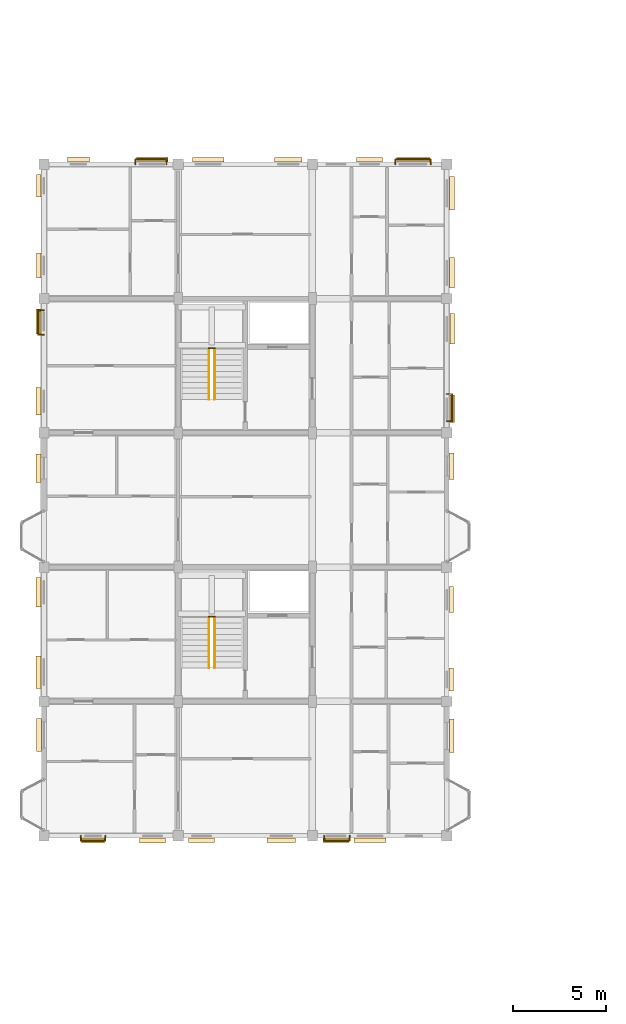
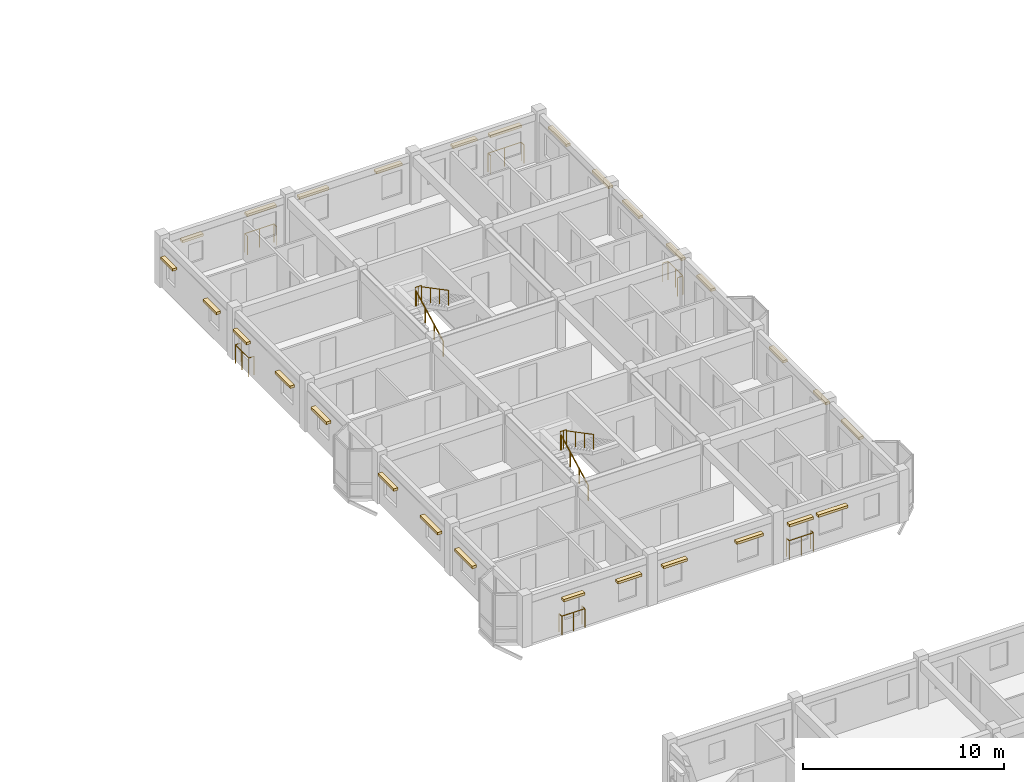
# One storey, part 75 of 79: 28 coverings, 12 railings.
"""IFC4 building model written with IfcOpenShell, lengths in metres."""

from ifc_helpers import new_model, si_unit, direction, frame, origin, origin_2d, place, context, subcontext, project, spatial, rectangle, circle, extrude, material, layer, layer_set, type_object, element, save


model = new_model("IFC4")

# Units and contexts
model_context = context("Model", 3, precision=1e-05, world=origin(), true_north=direction((0.0, 1.0)))
body_context = subcontext(model_context, "Body", "Model", "MODEL_VIEW")
ifc_project = project(units=[si_unit("LENGTHUNIT", "METRE"), si_unit("AREAUNIT", "SQUARE_METRE"), si_unit("VOLUMEUNIT", "CUBIC_METRE"), si_unit("PLANEANGLEUNIT", "RADIAN"), si_unit("MASSUNIT", "GRAM", prefix="KILO"), si_unit("THERMODYNAMICTEMPERATUREUNIT", "KELVIN"), si_unit("POWERUNIT", "WATT")], contexts=[model_context])

# Site, building, storey
site_placement = place(None, origin())
site = spatial("IfcSite", under=ifc_project, at=site_placement, CompositionType="ELEMENT")
building_placement = place(site_placement, origin())
building = spatial("IfcBuilding", under=site, at=building_placement, Name="Tavuni Mirador Residences", CompositionType="ELEMENT")
storey_placement = place(building_placement, frame((0.0, 0.0, 13.949951171875)))
storey = spatial("IfcBuildingStorey", under=building, at=storey_placement, Name="L04", CompositionType="ELEMENT", Elevation=13.949951171875)

# Coverings
ifc_material_1 = material(Name="Natural coral limestone", Category="masonry")
ifc_layer = layer(ifc_material_1, 0.054931640625, Name="Natural coral limestone", Category="masonry")
ifc_layer_set = layer_set([ifc_layer], Name="Natural coral limestone")
covering_type = type_object("IfcCoveringType", Name="CVT-CLAD-CORAL", PredefinedType="CLADDING", material=ifc_layer_set)
covering_1_placement = place(storey_placement, frame((6.237548828125, 64.54052734375, 2.065185546875), z_axis=(0.0, 0.0, 1.0), x_axis=(1.0, 0.0, 0.0)))
element("IfcCovering", 1, at=covering_1_placement, inside=storey, type_object=covering_type, Name="HOOD-0390", PredefinedType="CLADDING", context=body_context, shape_type="SweptSolid", body=[
    extrude(rectangle(XDim=1.219970703125, YDim=0.25, at=origin_2d()), origin(), (0.0, 0.0, 1.0), 0.14990234375),
])
for number, where, z_axis, x_axis, name in (
    (2, (9.422607421875, 64.54052734375, 2.065185546875), (0.0, 0.0, 1.0), (1.0, 0.0, 0.0), "HOOD-0391"),
    (3, (12.044921875, 64.550537109375, 2.065185546875), (0.0, 0.0, 1.0), (1.0, 0.0, 0.0), "HOOD-0392"),
):
    element("IfcCovering", number, at=place(storey_placement, frame(where, z_axis=z_axis, x_axis=x_axis)), inside=storey, type_object=covering_type, Name=name, PredefinedType="CLADDING", context=body_context, shape_type="SweptSolid", body=[
        extrude(rectangle(XDim=1.3798828125, YDim=0.25, at=origin_2d()), origin(), (0.0, 0.0, 1.0), 0.14990234375),
    ])
covering_2_placement = place(storey_placement, frame((16.324951171875, 64.550537109375, 2.065185546875), z_axis=(0.0, 0.0, 1.0), x_axis=(1.0, 0.0, 0.0)))
element("IfcCovering", 4, at=covering_2_placement, inside=storey, type_object=covering_type, Name="HOOD-0393", PredefinedType="CLADDING", context=body_context, shape_type="SweptSolid", body=[
    extrude(rectangle(XDim=1.5400390625, YDim=0.25, at=origin_2d()), origin(), (0.0, 0.0, 1.0), 0.14990234375),
])
covering_3_placement = place(storey_placement, frame((19.257568359375, 64.555419921875, 2.065185546875), z_axis=(0.0, 0.0, 1.0), x_axis=(1.0, 0.0, 0.0)))
element("IfcCovering", 5, at=covering_3_placement, inside=storey, type_object=covering_type, Name="HOOD-0394", PredefinedType="CLADDING", context=body_context, shape_type="SweptSolid", body=[
    extrude(rectangle(XDim=1.3798828125, YDim=0.25, at=origin_2d()), origin(), (0.0, 0.0, 1.0), 0.14990234375),
])
covering_4_placement = place(storey_placement, frame((21.090087890625, 64.555419921875, 2.065185546875), z_axis=(0.0, 0.0, 1.0), x_axis=(1.0, 0.0, 0.0)))
element("IfcCovering", 6, at=covering_4_placement, inside=storey, type_object=covering_type, Name="HOOD-0395", PredefinedType="CLADDING", context=body_context, shape_type="SweptSolid", body=[
    extrude(rectangle(XDim=1.699951171875, YDim=0.25, at=origin_2d()), origin(), (0.0, 0.0, 1.0), 0.14990234375),
])
covering_5_placement = place(storey_placement, frame((25.464599609375, 70.1474609375, 2.06005859375), z_axis=(0.0, 0.0, 1.0), x_axis=(0.0, 1.0, 0.0)))
element("IfcCovering", 7, at=covering_5_placement, inside=storey, type_object=covering_type, Name="HOOD-0396", PredefinedType="CLADDING", context=body_context, shape_type="SweptSolid", body=[
    extrude(rectangle(XDim=1.800048828125, YDim=0.260009765625, at=origin_2d()), origin(), (0.0, 0.0, 1.0), 0.159912109375),
])
covering_6_placement = place(storey_placement, frame((25.449462890625, 73.175048828125, 2.1650390625), z_axis=(0.0, 0.0, 1.0), x_axis=(0.0, 1.0, 0.0)))
element("IfcCovering", 8, at=covering_6_placement, inside=storey, type_object=covering_type, Name="HOOD-0397", PredefinedType="CLADDING", context=body_context, shape_type="SweptSolid", body=[
    extrude(rectangle(XDim=1.239990234375, YDim=0.25, at=origin_2d()), origin(), (0.0, 0.0, 1.0), 0.14990234375),
])
covering_7_placement = place(storey_placement, frame((25.449462890625, 77.455078125, 2.1650390625), z_axis=(0.0, 0.0, 1.0), x_axis=(0.0, 1.0, 0.0)))
element("IfcCovering", 9, at=covering_7_placement, inside=storey, type_object=covering_type, Name="HOOD-0398", PredefinedType="CLADDING", context=body_context, shape_type="SweptSolid", body=[
    extrude(rectangle(XDim=1.39990234375, YDim=0.25, at=origin_2d()), origin(), (0.0, 0.0, 1.0), 0.14990234375),
])
covering_8_placement = place(storey_placement, frame((25.449462890625, 84.617431640625, 2.16015625), z_axis=(0.0, 0.0, 1.0), x_axis=(0.0, 1.0, 0.0)))
element("IfcCovering", 10, at=covering_8_placement, inside=storey, type_object=covering_type, Name="HOOD-0399", PredefinedType="CLADDING", context=body_context, shape_type="SweptSolid", body=[
    extrude(rectangle(XDim=1.419921875, YDim=0.260009765625, at=origin_2d()), origin(), (0.0, 0.0, 1.0), 0.159912109375),
])
covering_9_placement = place(storey_placement, frame((25.487060546875, 87.695068359375, 2.1650390625), z_axis=(0.0, 0.0, 1.0), x_axis=(0.0, 1.0, 0.0)))
element("IfcCovering", 11, at=covering_9_placement, inside=storey, type_object=covering_type, Name="HOOD-0400", PredefinedType="CLADDING", context=body_context, shape_type="SweptSolid", body=[
    extrude(rectangle(XDim=1.47998046875, YDim=0.25, at=origin_2d()), origin(), (0.0, 0.0, 1.0), 0.14990234375),
])
for number, where, z_axis, x_axis, name in (
    (12, (25.487060546875, 91.97509765625, 2.1650390625), (0.0, 0.0, 1.0), (0.0, 1.0, 0.0), "HOOD-0401"),
    (13, (25.4794921875, 94.97509765625, 2.1650390625), (0.0, 0.0, 1.0), (0.0, 1.0, 0.0), "HOOD-0402"),
):
    element("IfcCovering", number, at=place(storey_placement, frame(where, z_axis=z_axis, x_axis=x_axis)), inside=storey, type_object=covering_type, Name=name, PredefinedType="CLADDING", context=body_context, shape_type="SweptSolid", body=[
        extrude(rectangle(XDim=1.639892578125, YDim=0.25, at=origin_2d()), origin(), (0.0, 0.0, 1.0), 0.14990234375),
    ])
for number, where, z_axis, x_axis, name in (
    (14, (25.4794921875, 99.2548828125, 2.1650390625), (0.0, 0.0, 1.0), (0.0, 1.0, 0.0), "HOOD-0403"),
    (15, (23.392578125, 101.04443359375, 2.1650390625), (0.0, 0.0, 1.0), (-1.0, 0.0, 0.0), "HOOD-0404"),
):
    element("IfcCovering", number, at=place(storey_placement, frame(where, z_axis=z_axis, x_axis=x_axis)), inside=storey, type_object=covering_type, Name=name, PredefinedType="CLADDING", context=body_context, shape_type="SweptSolid", body=[
        extrude(rectangle(XDim=1.800048828125, YDim=0.25, at=origin_2d()), origin(), (0.0, 0.0, 1.0), 0.14990234375),
    ])
covering_10_placement = place(storey_placement, frame((21.050048828125, 101.04443359375, 2.2451171875), z_axis=(0.0, 0.0, 1.0), x_axis=(-1.0, 0.0, 0.0)))
element("IfcCovering", 16, at=covering_10_placement, inside=storey, type_object=covering_type, Name="HOOD-0405", PredefinedType="CLADDING", context=body_context, shape_type="SweptSolid", body=[
    extrude(rectangle(XDim=1.389892578125, YDim=0.25, at=origin_2d()), origin(), (0.0, 0.0, 1.0), 0.14990234375),
])
covering_11_placement = place(storey_placement, frame((16.699951171875, 101.049560546875, 2.2451171875), z_axis=(0.0, 0.0, 1.0), x_axis=(-1.0, 0.0, 0.0)))
element("IfcCovering", 17, at=covering_11_placement, inside=storey, type_object=covering_type, Name="HOOD-0406", PredefinedType="CLADDING", context=body_context, shape_type="SweptSolid", body=[
    extrude(rectangle(XDim=1.489990234375, YDim=0.25, at=origin_2d()), origin(), (0.0, 0.0, 1.0), 0.14990234375),
])
for number, where, z_axis, x_axis, name in (
    (18, (12.39990234375, 101.049560546875, 2.2451171875), (0.0, 0.0, 1.0), (-1.0, 0.0, 0.0), "HOOD-0407"),
    (19, (9.39990234375, 101.0595703125, 2.2451171875), (0.0, 0.0, 1.0), (-1.0, 0.0, 0.0), "HOOD-0408"),
):
    element("IfcCovering", number, at=place(storey_placement, frame(where, z_axis=z_axis, x_axis=x_axis)), inside=storey, type_object=covering_type, Name=name, PredefinedType="CLADDING", context=body_context, shape_type="SweptSolid", body=[
        extrude(rectangle(XDim=1.68994140625, YDim=0.25, at=origin_2d()), origin(), (0.0, 0.0, 1.0), 0.14990234375),
    ])
for number, where, z_axis, x_axis, name in (
    (20, (5.449951171875, 101.0595703125, 1.955078125), (0.0, 0.0, 1.0), (-1.0, 0.0, 0.0), "HOOD-0409"),
    (21, (3.320556640625, 99.64990234375, 1.955078125), (0.0, 0.0, 1.0), (0.0, -1.0, 0.0), "HOOD-0410"),
):
    element("IfcCovering", number, at=place(storey_placement, frame(where, z_axis=z_axis, x_axis=x_axis)), inside=storey, type_object=covering_type, Name=name, PredefinedType="CLADDING", context=body_context, shape_type="SweptSolid", body=[
        extrude(rectangle(XDim=1.18994140625, YDim=0.25, at=origin_2d()), origin(), (0.0, 0.0, 1.0), 0.14990234375),
    ])
for number, where, z_axis, x_axis, name in (
    (22, (3.320556640625, 95.375, 1.955078125), (0.0, 0.0, 1.0), (0.0, -1.0, 0.0), "HOOD-0411"),
    (23, (3.305419921875, 92.375, 1.955078125), (0.0, 0.0, 1.0), (0.0, -1.0, 0.0), "HOOD-0412"),
):
    element("IfcCovering", number, at=place(storey_placement, frame(where, z_axis=z_axis, x_axis=x_axis)), inside=storey, type_object=covering_type, Name=name, PredefinedType="CLADDING", context=body_context, shape_type="SweptSolid", body=[
        extrude(rectangle(XDim=1.340087890625, YDim=0.25, at=origin_2d()), origin(), (0.0, 0.0, 1.0), 0.14990234375),
    ])
covering_12_placement = place(storey_placement, frame((3.305419921875, 88.094970703125, 1.955078125), z_axis=(0.0, 0.0, 1.0), x_axis=(0.0, -1.0, 0.0)))
element("IfcCovering", 24, at=covering_12_placement, inside=storey, type_object=covering_type, Name="HOOD-0413", PredefinedType="CLADDING", context=body_context, shape_type="SweptSolid", body=[
    extrude(rectangle(XDim=1.5, YDim=0.25, at=origin_2d()), origin(), (0.0, 0.0, 1.0), 0.14990234375),
])
covering_13_placement = place(storey_placement, frame((3.300537109375, 84.507568359375, 1.9501953125), z_axis=(0.0, 0.0, 1.0), x_axis=(0.0, -1.0, 0.0)))
element("IfcCovering", 25, at=covering_13_placement, inside=storey, type_object=covering_type, Name="HOOD-0414", PredefinedType="CLADDING", context=body_context, shape_type="SweptSolid", body=[
    extrude(rectangle(XDim=1.52001953125, YDim=0.260009765625, at=origin_2d()), origin(), (0.0, 0.0, 1.0), 0.159912109375),
])
covering_14_placement = place(storey_placement, frame((3.305419921875, 77.85498046875, 1.955078125), z_axis=(0.0, 0.0, 1.0), x_axis=(0.0, -1.0, 0.0)))
element("IfcCovering", 26, at=covering_14_placement, inside=storey, type_object=covering_type, Name="HOOD-0415", PredefinedType="CLADDING", context=body_context, shape_type="SweptSolid", body=[
    extrude(rectangle(XDim=1.580078125, YDim=0.25, at=origin_2d()), origin(), (0.0, 0.0, 1.0), 0.14990234375),
])
covering_15_placement = place(storey_placement, frame((3.305419921875, 73.574951171875, 1.955078125), z_axis=(0.0, 0.0, 1.0), x_axis=(0.0, -1.0, 0.0)))
element("IfcCovering", 27, at=covering_15_placement, inside=storey, type_object=covering_type, Name="HOOD-0416", PredefinedType="CLADDING", context=body_context, shape_type="SweptSolid", body=[
    extrude(rectangle(XDim=1.739990234375, YDim=0.25, at=origin_2d()), origin(), (0.0, 0.0, 1.0), 0.14990234375),
])
covering_16_placement = place(storey_placement, frame((3.33544921875, 70.197509765625, 1.9501953125), z_axis=(0.0, 0.0, 1.0), x_axis=(0.0, -1.0, 0.0)))
element("IfcCovering", 28, at=covering_16_placement, inside=storey, type_object=covering_type, Name="HOOD-0417", PredefinedType="CLADDING", context=body_context, shape_type="SweptSolid", body=[
    extrude(rectangle(XDim=1.760009765625, YDim=0.260009765625, at=origin_2d()), origin(), (0.0, 0.0, 1.0), 0.159912109375),
])

# Railings
ifc_material_2 = material(Name="Structural steel S355", Category="steel")
railing_type_1 = type_object("IfcRailingType", Name="RT-BL1150", PredefinedType="BALUSTRADE", material=ifc_material_2)
railing_1_placement = place(storey_placement, frame((5.577392578125, 64.800048828125, 0.0400390625)))
element("IfcRailing", 29, at=railing_1_placement, inside=storey, type_object=railing_type_1, Name="BALC-BLK-B-L04-S00", PredefinedType="BALUSTRADE", context=body_context, shape_type="SweptSolid", body=[
    extrude(circle(Radius=0.02392578125, at=origin_2d()), frame((0.0, 0.0, 1.1259765625), z_axis=(0.0, -1.0, 0.0), x_axis=(1.0, 0.0, 0.0)), (0.0, 0.0, 1.0), 0.277587890625),
    extrude(circle(Radius=0.02392578125, at=origin_2d()), frame((0.0, -0.277587890625, 1.1259765625), z_axis=(1.0, 0.0, 0.0), x_axis=(0.0, 1.0, 0.0)), (0.0, 0.0, 1.0), 1.320068359375),
    extrude(circle(Radius=0.02392578125, at=origin_2d()), frame((1.320068359375, -0.277587890625, 1.1259765625), z_axis=(0.0, 1.0, 0.0), x_axis=(-1.0, 0.0, 0.0)), (0.0, 0.0, 1.0), 0.277587890625),
    extrude(circle(Radius=0.02099609375, at=origin_2d()), origin(), (0.0, 0.0, 1.0), 1.101806640625),
    extrude(circle(Radius=0.02099609375, at=origin_2d()), frame((0.0, -0.277587890625, 0.0)), (0.0, 0.0, 1.0), 1.101806640625),
    extrude(circle(Radius=0.02099609375, at=origin_2d()), frame((0.66015625, -0.277587890625, 0.0)), (0.0, 0.0, 1.0), 1.101806640625),
    extrude(circle(Radius=0.02099609375, at=origin_2d()), frame((1.320068359375, -0.277587890625, 0.0)), (0.0, 0.0, 1.0), 1.101806640625),
    extrude(circle(Radius=0.02099609375, at=origin_2d()), frame((1.320068359375, 0.0, 0.0)), (0.0, 0.0, 1.0), 1.101806640625),
])
railing_2_placement = place(storey_placement, frame((18.625, 64.800048828125, 0.0400390625)))
element("IfcRailing", 30, at=railing_2_placement, inside=storey, type_object=railing_type_1, Name="BALC-BLK-B-L04-S02", PredefinedType="BALUSTRADE", context=body_context, shape_type="SweptSolid", body=[
    extrude(circle(Radius=0.02392578125, at=origin_2d()), frame((0.0, 0.0, 1.1259765625), z_axis=(0.0, -1.0, 0.0), x_axis=(1.0, 0.0, 0.0)), (0.0, 0.0, 1.0), 0.262451171875),
    extrude(circle(Radius=0.02392578125, at=origin_2d()), frame((0.0, -0.262451171875, 1.1259765625), z_axis=(1.0, 0.0, 0.0), x_axis=(0.0, 1.0, 0.0)), (0.0, 0.0, 1.0), 1.37255859375),
    extrude(circle(Radius=0.02392578125, at=origin_2d()), frame((1.37255859375, -0.262451171875, 1.1259765625), z_axis=(0.0, 1.0, 0.0), x_axis=(-1.0, 0.0, 0.0)), (0.0, 0.0, 1.0), 0.262451171875),
    extrude(circle(Radius=0.02099609375, at=origin_2d()), origin(), (0.0, 0.0, 1.0), 1.101806640625),
    extrude(circle(Radius=0.02099609375, at=origin_2d()), frame((0.0, -0.262451171875, 0.0)), (0.0, 0.0, 1.0), 1.101806640625),
    extrude(circle(Radius=0.02099609375, at=origin_2d()), frame((0.686279296875, -0.262451171875, 0.0)), (0.0, 0.0, 1.0), 1.101806640625),
    extrude(circle(Radius=0.02099609375, at=origin_2d()), frame((1.37255859375, -0.262451171875, 0.0)), (0.0, 0.0, 1.0), 1.101806640625),
    extrude(circle(Radius=0.02099609375, at=origin_2d()), frame((1.37255859375, 0.0, 0.0)), (0.0, 0.0, 1.0), 1.101806640625),
])
railing_3_placement = place(storey_placement, frame((25.199951171875, 87.02490234375, 0.0400390625)))
element("IfcRailing", 31, at=railing_3_placement, inside=storey, type_object=railing_type_1, Name="BALC-BLK-B-L04-E03", PredefinedType="BALUSTRADE", context=body_context, shape_type="SweptSolid", body=[
    extrude(circle(Radius=0.02392578125, at=origin_2d()), frame((0.0, 0.0, 1.1259765625), z_axis=(1.0, 0.0, 0.0), x_axis=(0.0, 1.0, 0.0)), (0.0, 0.0, 1.0), 0.304931640625),
    extrude(circle(Radius=0.02392578125, at=origin_2d()), frame((0.304931640625, 0.0, 1.1259765625), z_axis=(0.0, 1.0, 0.0), x_axis=(-1.0, 0.0, 0.0)), (0.0, 0.0, 1.0), 1.460205078125),
    extrude(circle(Radius=0.02392578125, at=origin_2d()), frame((0.304931640625, 1.460205078125, 1.1259765625), z_axis=(-1.0, 0.0, 0.0), x_axis=(0.0, -1.0, 0.0)), (0.0, 0.0, 1.0), 0.304931640625),
    extrude(circle(Radius=0.02099609375, at=origin_2d()), origin(), (0.0, 0.0, 1.0), 1.101806640625),
    extrude(circle(Radius=0.02099609375, at=origin_2d()), frame((0.304931640625, 0.0, 0.0)), (0.0, 0.0, 1.0), 1.101806640625),
    extrude(circle(Radius=0.02099609375, at=origin_2d()), frame((0.304931640625, 0.72998046875, 0.0)), (0.0, 0.0, 1.0), 1.101806640625),
    extrude(circle(Radius=0.02099609375, at=origin_2d()), frame((0.304931640625, 1.460205078125, 0.0)), (0.0, 0.0, 1.0), 1.101806640625),
    extrude(circle(Radius=0.02099609375, at=origin_2d()), frame((0.0, 1.460205078125, 0.0)), (0.0, 0.0, 1.0), 1.101806640625),
])
railing_4_placement = place(storey_placement, frame((24.342529296875, 100.800048828125, 0.0400390625)))
element("IfcRailing", 32, at=railing_4_placement, inside=storey, type_object=railing_type_1, Name="BALC-BLK-B-L04-N02", PredefinedType="BALUSTRADE", context=body_context, shape_type="SweptSolid", body=[
    extrude(circle(Radius=0.02392578125, at=origin_2d()), frame((0.0, 0.0, 1.1259765625), z_axis=(0.0, 1.0, 0.0), x_axis=(-1.0, 0.0, 0.0)), (0.0, 0.0, 1.0), 0.262451171875),
    extrude(circle(Radius=0.02392578125, at=origin_2d()), frame((0.0, 0.262451171875, 1.1259765625), z_axis=(-1.0, 0.0, 0.0), x_axis=(0.0, -1.0, 0.0)), (0.0, 0.0, 1.0), 1.900146484375),
    extrude(circle(Radius=0.02392578125, at=origin_2d()), frame((-1.900146484375, 0.262451171875, 1.1259765625), z_axis=(0.0, -1.0, 0.0), x_axis=(1.0, 0.0, 0.0)), (0.0, 0.0, 1.0), 0.262451171875),
    extrude(circle(Radius=0.02099609375, at=origin_2d()), origin(), (0.0, 0.0, 1.0), 1.101806640625),
    extrude(circle(Radius=0.02099609375, at=origin_2d()), frame((0.0, 0.262451171875, 0.0)), (0.0, 0.0, 1.0), 1.101806640625),
    extrude(circle(Radius=0.02099609375, at=origin_2d()), frame((-0.9501953125, 0.262451171875, 0.0)), (0.0, 0.0, 1.0), 1.101806640625),
    extrude(circle(Radius=0.02099609375, at=origin_2d()), frame((-1.900146484375, 0.262451171875, 0.0)), (0.0, 0.0, 1.0), 1.101806640625),
    extrude(circle(Radius=0.02099609375, at=origin_2d()), frame((-1.900146484375, 0.0, 0.0)), (0.0, 0.0, 1.0), 1.101806640625),
])
railing_5_placement = place(storey_placement, frame((10.175048828125, 100.800048828125, 0.0400390625)))
element("IfcRailing", 33, at=railing_5_placement, inside=storey, type_object=railing_type_1, Name="BALC-BLK-B-L04-N00", PredefinedType="BALUSTRADE", context=body_context, shape_type="SweptSolid", body=[
    extrude(circle(Radius=0.02392578125, at=origin_2d()), frame((0.0, 0.0, 1.1259765625), z_axis=(0.0, 1.0, 0.0), x_axis=(-1.0, 0.0, 0.0)), (0.0, 0.0, 1.0), 0.27734375),
    extrude(circle(Radius=0.02392578125, at=origin_2d()), frame((0.0, 0.27734375, 1.1259765625), z_axis=(-1.0, 0.0, 0.0), x_axis=(0.0, -1.0, 0.0)), (0.0, 0.0, 1.0), 1.670166015625),
    extrude(circle(Radius=0.02392578125, at=origin_2d()), frame((-1.670166015625, 0.27734375, 1.1259765625), z_axis=(0.0, -1.0, 0.0), x_axis=(1.0, 0.0, 0.0)), (0.0, 0.0, 1.0), 0.27734375),
    extrude(circle(Radius=0.02099609375, at=origin_2d()), origin(), (0.0, 0.0, 1.0), 1.101806640625),
    extrude(circle(Radius=0.02099609375, at=origin_2d()), frame((0.0, 0.27734375, 0.0)), (0.0, 0.0, 1.0), 1.101806640625),
    extrude(circle(Radius=0.02099609375, at=origin_2d()), frame((-0.8349609375, 0.27734375, 0.0)), (0.0, 0.0, 1.0), 1.101806640625),
    extrude(circle(Radius=0.02099609375, at=origin_2d()), frame((-1.670166015625, 0.27734375, 0.0)), (0.0, 0.0, 1.0), 1.101806640625),
    extrude(circle(Radius=0.02099609375, at=origin_2d()), frame((-1.670166015625, 0.0, 0.0)), (0.0, 0.0, 1.0), 1.101806640625),
])
railing_6_placement = place(storey_placement, frame((3.60009765625, 92.97509765625, 0.0400390625)))
element("IfcRailing", 34, at=railing_6_placement, inside=storey, type_object=railing_type_1, Name="BALC-BLK-B-L04-W03", PredefinedType="BALUSTRADE", context=body_context, shape_type="SweptSolid", body=[
    extrude(circle(Radius=0.02392578125, at=origin_2d()), frame((0.0, 0.0, 1.1259765625), z_axis=(-1.0, 0.0, 0.0), x_axis=(0.0, -1.0, 0.0)), (0.0, 0.0, 1.0), 0.3125),
    extrude(circle(Radius=0.02392578125, at=origin_2d()), frame((-0.3125, 0.0, 1.1259765625), z_axis=(0.0, -1.0, 0.0), x_axis=(1.0, 0.0, 0.0)), (0.0, 0.0, 1.0), 1.320068359375),
    extrude(circle(Radius=0.02392578125, at=origin_2d()), frame((-0.3125, -1.320068359375, 1.1259765625), z_axis=(1.0, 0.0, 0.0), x_axis=(0.0, 1.0, 0.0)), (0.0, 0.0, 1.0), 0.3125),
    extrude(circle(Radius=0.02099609375, at=origin_2d()), origin(), (0.0, 0.0, 1.0), 1.101806640625),
    extrude(circle(Radius=0.02099609375, at=origin_2d()), frame((-0.3125, 0.0, 0.0)), (0.0, 0.0, 1.0), 1.101806640625),
    extrude(circle(Radius=0.02099609375, at=origin_2d()), frame((-0.3125, -0.66015625, 0.0)), (0.0, 0.0, 1.0), 1.101806640625),
    extrude(circle(Radius=0.02099609375, at=origin_2d()), frame((-0.3125, -1.320068359375, 0.0)), (0.0, 0.0, 1.0), 1.101806640625),
    extrude(circle(Radius=0.02099609375, at=origin_2d()), frame((0.0, -1.320068359375, 0.0)), (0.0, 0.0, 1.0), 1.101806640625),
])
railing_type_2 = type_object("IfcRailingType", Name="RT-GR1120", PredefinedType="GUARDRAIL", material=ifc_material_2)
for number, where, name in (
    (35, (12.419921875, 76.5400390625, 1.574951171875), "GRD-HL-ST3-L04"),
    (36, (12.419921875, 90.93994140625, 1.574951171875), "GRD-HL-ST4-L04"),
):
    element("IfcRailing", number, at=place(storey_placement, frame(where)), inside=storey, type_object=railing_type_2, Name=name, PredefinedType="GUARDRAIL", context=body_context, shape_type="SweptSolid", body=[
        extrude(circle(Radius=0.02392578125, at=origin_2d()), frame((0.0, 0.0, 1.09619140625), z_axis=(1.0, 0.0, 0.0), x_axis=(0.0, 1.0, 0.0)), (0.0, 0.0, 1.0), 0.360107421875),
        extrude(circle(Radius=0.02099609375, at=origin_2d()), origin(), (0.0, 0.0, 1.0), 1.072021484375),
        extrude(circle(Radius=0.02099609375, at=origin_2d()), frame((0.18017578125, 0.0, 0.0)), (0.0, 0.0, 1.0), 1.072021484375),
        extrude(circle(Radius=0.02099609375, at=origin_2d()), frame((0.360107421875, 0.0, 0.0)), (0.0, 0.0, 1.0), 1.072021484375),
    ])
railing_type_3 = type_object("IfcRailingType", Name="RT-HR920", PredefinedType="HANDRAIL", material=ifc_material_2)
railing_7_placement = place(storey_placement, frame((12.449951171875, 73.800048828125, 0.157470703125)))
element("IfcRailing", 37, at=railing_7_placement, inside=storey, type_object=railing_type_3, Name="HR-ST3-L04-F1", PredefinedType="HANDRAIL", context=body_context, shape_type="SweptSolid", body=[
    extrude(circle(Radius=0.02392578125, at=origin_2d()), frame((0.0, 0.0, 0.89599609375), z_axis=(0.0, 0.885397079081, 0.464835468048), x_axis=(-1.0, 0.0, 0.0)), (0.0, 0.0, 1.0), 3.04931640625),
    extrude(circle(Radius=0.02099609375, at=origin_2d()), origin(), (0.0, 0.0, 1.0), 0.871826171875),
    extrude(circle(Radius=0.02099609375, at=origin_2d()), frame((0.0, 0.89990234375, 0.472412109375)), (0.0, 0.0, 1.0), 0.871826171875),
    extrude(circle(Radius=0.02099609375, at=origin_2d()), frame((0.0, 1.800048828125, 0.945068359375)), (0.0, 0.0, 1.0), 0.871826171875),
    extrude(circle(Radius=0.02099609375, at=origin_2d()), frame((0.0, 2.699951171875, 1.41748046875)), (0.0, 0.0, 1.0), 0.871826171875),
])
railing_8_placement = place(storey_placement, frame((12.75, 76.5, 1.732666015625)))
element("IfcRailing", 38, at=railing_8_placement, inside=storey, type_object=railing_type_3, Name="HR-ST3-L04-F2", PredefinedType="HANDRAIL", context=body_context, shape_type="SweptSolid", body=[
    extrude(circle(Radius=0.02392578125, at=origin_2d()), frame((0.0, 0.0, 0.89599609375), z_axis=(0.0, -0.885397079081, 0.464835468048), x_axis=(1.0, 0.0, 0.0)), (0.0, 0.0, 1.0), 3.04931640625),
    extrude(circle(Radius=0.02099609375, at=origin_2d()), origin(), (0.0, 0.0, 1.0), 0.871826171875),
    extrude(circle(Radius=0.02099609375, at=origin_2d()), frame((0.0, -0.89990234375, 0.472412109375)), (0.0, 0.0, 1.0), 0.871826171875),
    extrude(circle(Radius=0.02099609375, at=origin_2d()), frame((0.0, -1.800048828125, 0.945068359375)), (0.0, 0.0, 1.0), 0.871826171875),
    extrude(circle(Radius=0.02099609375, at=origin_2d()), frame((0.0, -2.699951171875, 1.41748046875)), (0.0, 0.0, 1.0), 0.871826171875),
])
railing_9_placement = place(storey_placement, frame((12.449951171875, 88.199951171875, 0.157470703125)))
element("IfcRailing", 39, at=railing_9_placement, inside=storey, type_object=railing_type_3, Name="HR-ST4-L04-F1", PredefinedType="HANDRAIL", context=body_context, shape_type="SweptSolid", body=[
    extrude(circle(Radius=0.02392578125, at=origin_2d()), frame((0.0, 0.0, 0.89599609375), z_axis=(0.0, 0.885397079081, 0.464835468048), x_axis=(-1.0, 0.0, 0.0)), (0.0, 0.0, 1.0), 3.04931640625),
    extrude(circle(Radius=0.02099609375, at=origin_2d()), origin(), (0.0, 0.0, 1.0), 0.871826171875),
    extrude(circle(Radius=0.02099609375, at=origin_2d()), frame((0.0, 0.89990234375, 0.472412109375)), (0.0, 0.0, 1.0), 0.871826171875),
    extrude(circle(Radius=0.02099609375, at=origin_2d()), frame((0.0, 1.800048828125, 0.945068359375)), (0.0, 0.0, 1.0), 0.871826171875),
    extrude(circle(Radius=0.02099609375, at=origin_2d()), frame((0.0, 2.699951171875, 1.41748046875)), (0.0, 0.0, 1.0), 0.871826171875),
])
railing_10_placement = place(storey_placement, frame((12.75, 90.89990234375, 1.732666015625)))
element("IfcRailing", 40, at=railing_10_placement, inside=storey, type_object=railing_type_3, Name="HR-ST4-L04-F2", PredefinedType="HANDRAIL", context=body_context, shape_type="SweptSolid", body=[
    extrude(circle(Radius=0.02392578125, at=origin_2d()), frame((0.0, 0.0, 0.89599609375), z_axis=(0.0, -0.885397079081, 0.464835468048), x_axis=(1.0, 0.0, 0.0)), (0.0, 0.0, 1.0), 3.04931640625),
    extrude(circle(Radius=0.02099609375, at=origin_2d()), origin(), (0.0, 0.0, 1.0), 0.871826171875),
    extrude(circle(Radius=0.02099609375, at=origin_2d()), frame((0.0, -0.89990234375, 0.472412109375)), (0.0, 0.0, 1.0), 0.871826171875),
    extrude(circle(Radius=0.02099609375, at=origin_2d()), frame((0.0, -1.800048828125, 0.945068359375)), (0.0, 0.0, 1.0), 0.871826171875),
    extrude(circle(Radius=0.02099609375, at=origin_2d()), frame((0.0, -2.699951171875, 1.41748046875)), (0.0, 0.0, 1.0), 0.871826171875),
])

save(model, "model.ifc")
